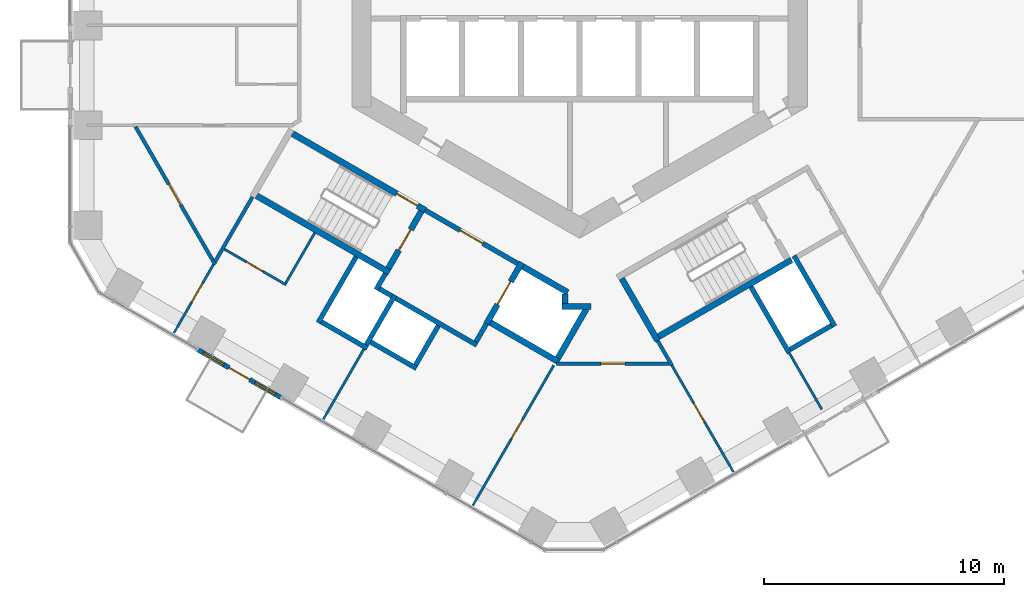
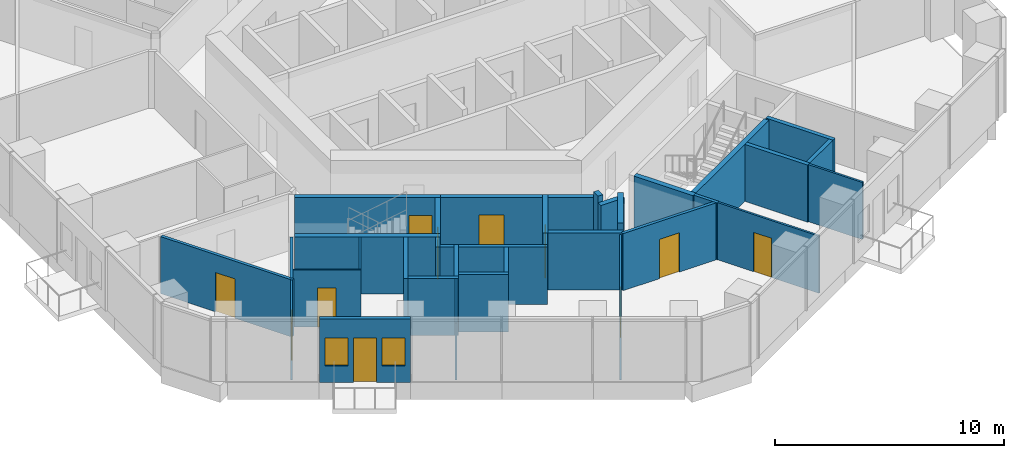
# One storey, part 12 of 19: 36 walls, 11 doors, 2 windows, 13 openings.
"""IFC4 building model written with IfcOpenShell, lengths in metres."""

import ifcopenshell
import ifcopenshell.guid

model = None  # the IFC model being written
_history = None  # IfcOwnerHistory: only IFC2X3 demands one
_inside = {}  # id of a spatial element -> (the spatial element, [elements in it])
_under = {}  # id of a project, library or spatial element -> (it, [spatial elements below it])
_declared = {}  # id of a project -> (the project, [libraries it declares])
_typed = {}  # id of a type object -> (the type object, [elements of that type])
_made_of = {}  # id of a material, layer set ... -> (it, [elements and type objects made of it])


def new_model(schema):
    """Start an empty IFC model of exactly this schema.

    Asked for "IFC4X3", IfcOpenShell would pick the latest addendum, in which some entities
    have other attributes; the version numbers below select the first issue.
    IFC2X3 requires an IfcOwnerHistory on every rooted entity: one is made here for all.
    """
    global model, _history
    if schema == "IFC4X3":
        model = ifcopenshell.file(schema_version=(4, 3, 0, 0))
    else:
        model = ifcopenshell.file(schema=schema)
    _inside.clear()
    _under.clear()
    _declared.clear()
    _typed.clear()
    _made_of.clear()
    _history = None
    if model.schema == "IFC2X3":
        org = make("IfcOrganization", Name="unknown")
        user = make(
            "IfcPersonAndOrganization",
            ThePerson=make("IfcPerson", FamilyName="unknown"),
            TheOrganization=org,
        )
        app = make(
            "IfcApplication",
            ApplicationDeveloper=org,
            Version="unknown",
            ApplicationFullName="unknown",
            ApplicationIdentifier="unknown",
        )
        _history = make(
            "IfcOwnerHistory",
            OwningUser=user,
            OwningApplication=app,
            ChangeAction="ADDED",
            CreationDate=0,
        )
    return model


def make(cls, **values):
    """One entity of the class cls with the attributes given. An attribute that is None is left unset."""
    return model.create_entity(
        cls, **{name: value for name, value in values.items() if value is not None}
    )


def rooted(cls, **values):
    """An entity with a GlobalId (a new one), such as an element, a storey or a relation."""
    return make(cls, GlobalId=ifcopenshell.guid.new(), OwnerHistory=_history, **values)


def si_unit(unit_type, name, prefix=None):
    """IfcSIUnit, for example si_unit("LENGTHUNIT", "METRE", prefix="MILLI")."""
    return make("IfcSIUnit", UnitType=unit_type, Prefix=prefix, Name=name)


def assignment(units):
    """IfcUnitAssignment: the units of a project."""
    return None if units is None else make("IfcUnitAssignment", Units=units)


def point(xyz):
    """IfcCartesianPoint."""
    return None if xyz is None else make("IfcCartesianPoint", Coordinates=xyz)


def direction(xyz):
    """IfcDirection."""
    return None if xyz is None else make("IfcDirection", DirectionRatios=xyz)


def frame(location, z_axis=None, x_axis=None):
    """IfcAxis2Placement3D, a coordinate frame: its origin and axes. An axis left out is left unset."""
    return make(
        "IfcAxis2Placement3D",
        Location=point(location),
        Axis=direction(z_axis),
        RefDirection=direction(x_axis),
    )


def frame_2d(location, x_axis=None):
    """IfcAxis2Placement2D, a coordinate frame in the plane: its origin and x axis."""
    return make(
        "IfcAxis2Placement2D", Location=point(location), RefDirection=direction(x_axis)
    )


def origin():
    """The frame at (0, 0, 0) with its axes left unset."""
    return frame((0.0, 0.0, 0.0))


def place(relative_to, where):
    """IfcLocalPlacement: puts the frame where relative to a parent placement (None: the world)."""
    return make(
        "IfcLocalPlacement", PlacementRelTo=relative_to, RelativePlacement=where
    )


def context(
    kind, dimensions, precision=None, world=None, true_north=None, identifier=None
):
    """IfcGeometricRepresentationContext, for example the 3D "Model" context."""
    return make(
        "IfcGeometricRepresentationContext",
        ContextIdentifier=identifier,
        ContextType=kind,
        CoordinateSpaceDimension=dimensions,
        Precision=precision,
        WorldCoordinateSystem=world,
        TrueNorth=true_north,
    )


def subcontext(parent, identifier, kind, view, scale=None):
    """IfcGeometricRepresentationSubContext, for example "Body" below "Model"."""
    return make(
        "IfcGeometricRepresentationSubContext",
        ContextIdentifier=identifier,
        ContextType=kind,
        ParentContext=parent,
        TargetScale=scale,
        TargetView=view,
    )


def project(units=None, contexts=None):
    """IfcProject with its units and contexts."""
    return rooted(
        "IfcProject",
        Name="project",
        RepresentationContexts=contexts,
        UnitsInContext=assignment(units),
    )


def spatial(cls, under=None, at=None, **own):
    """A site, building, storey or space (cls), placed at a placement, below another one or the project."""
    s = rooted(cls, ObjectPlacement=at, **own)
    if under is not None:
        _under.setdefault(under.id(), (under, []))[1].append(s)
    return s


def profile(cls, at=None, kind="AREA", **sizes):
    """A parametric profile (cls). Its sizes go by their IFC names, for example OverallWidth=200.0."""
    return make(cls, ProfileType=kind, Position=at, **sizes)


def rectangle(**sizes):
    """IfcRectangleProfileDef."""
    return profile("IfcRectangleProfileDef", **sizes)


def extrude(swept, where, along, depth):
    """IfcExtrudedAreaSolid: the profile swept, set in the frame where, extruded along a direction by depth."""
    return make(
        "IfcExtrudedAreaSolid",
        SweptArea=swept,
        Position=where,
        ExtrudedDirection=direction(along),
        Depth=depth,
    )


def shape(context_of_items, identifier, shape_type, items):
    """IfcShapeRepresentation: the items that make up one representation, for example the "Body"."""
    return make(
        "IfcShapeRepresentation",
        ContextOfItems=context_of_items,
        RepresentationIdentifier=identifier,
        RepresentationType=shape_type,
        Items=items,
    )


def material(Name=None, Category=None):
    """IfcMaterial."""
    return make("IfcMaterial", Name=Name, Category=Category)


def layer(
    of_material, thickness, ventilated=None, Name=None, Category=None, Priority=None
):
    """IfcMaterialLayer: one layer of a wall or slab, of a material (None: an air gap)."""
    return make(
        "IfcMaterialLayer",
        Material=of_material,
        LayerThickness=thickness,
        IsVentilated=ventilated,
        Name=Name,
        Category=Category,
        Priority=Priority,
    )


def layer_set(layers, Name=None):
    """IfcMaterialLayerSet."""
    return make("IfcMaterialLayerSet", MaterialLayers=layers, LayerSetName=Name)


def made_of(thing, what):
    """Note that an element or type object is made of a material, layer set ...; save() writes the relation."""
    if what is not None:
        _made_of.setdefault(what.id(), (what, []))[1].append(thing)
    return thing


def type_object(cls, material=None, **own):
    """A type object (cls), such as IfcWallType, which elements share."""
    return made_of(rooted(cls, **own), material)


def element(
    cls,
    number,
    at=None,
    inside=None,
    cuts=None,
    type_object=None,
    material=None,
    context=None,
    identifier="Body",
    shape_type=None,
    held_by="IfcProductDefinitionShape",
    body=None,
    shapes=None,
    **own,
):
    """One element of the class cls, such as IfcWall. Its Tag is "e" and its number.

    at: its placement. inside: the storey or other place that contains it. cuts: it is an
    opening in that element (IfcRelVoidsElement). A single representation is given by context,
    identifier, shape_type and body (its items); several are given by shapes. held_by: the class
    of the entity that holds the representations. save() writes the other relations.
    """
    e = rooted(cls, Tag="e%d" % number, ObjectPlacement=at, **own)
    if body is not None:
        shapes = [shape(context, identifier, shape_type, body)]
    if shapes is not None:
        e.Representation = make(held_by, Representations=shapes)
    if inside is not None:
        _inside.setdefault(inside.id(), (inside, []))[1].append(e)
    if cuts is not None:
        rooted(
            "IfcRelVoidsElement", RelatingBuildingElement=cuts, RelatedOpeningElement=e
        )
    if type_object is not None:
        _typed.setdefault(type_object.id(), (type_object, []))[1].append(e)
    return made_of(e, material)


def fill(opening, filler):
    """IfcRelFillsElement: the door or window that sits in an opening."""
    return rooted(
        "IfcRelFillsElement",
        RelatingOpeningElement=opening,
        RelatedBuildingElement=filler,
    )


def aggregate(whole, parts):
    """IfcRelAggregates: a whole, such as a stair, and the parts it consists of."""
    return rooted("IfcRelAggregates", RelatingObject=whole, RelatedObjects=parts)


def save(model, path):
    """Write the relations noted so far, then the file.

    IfcRelAggregates (storeys below a building ...), IfcRelContainedInSpatialStructure (elements
    in a storey), IfcRelDefinesByType, IfcRelAssociatesMaterial and IfcRelDeclares: one each for
    every whole, place, type object, material and project.
    """
    for whole, parts in _under.values():
        aggregate(whole, parts)
    for where, things in _inside.values():
        rooted(
            "IfcRelContainedInSpatialStructure",
            RelatedElements=things,
            RelatingStructure=where,
        )
    for kind, things in _typed.values():
        rooted("IfcRelDefinesByType", RelatedObjects=things, RelatingType=kind)
    for what, things in _made_of.values():
        rooted("IfcRelAssociatesMaterial", RelatedObjects=things, RelatingMaterial=what)
    for by, libraries in _declared.values():
        rooted("IfcRelDeclares", RelatingContext=by, RelatedDefinitions=libraries)
    model.write(path)


model = new_model("IFC4")

# Units and contexts
model_context = context("Model", 3, precision=1e-05, world=origin(), true_north=direction((0.0, 1.0)))
body_context = subcontext(model_context, "Body", "Model", "MODEL_VIEW")
ifc_project = project(units=[si_unit("LENGTHUNIT", "METRE"), si_unit("AREAUNIT", "SQUARE_METRE"), si_unit("VOLUMEUNIT", "CUBIC_METRE"), si_unit("PLANEANGLEUNIT", "RADIAN"), si_unit("MASSUNIT", "GRAM", prefix="KILO")], contexts=[model_context])

# Site, building, storey
site_placement = place(None, origin())
site = spatial("IfcSite", under=ifc_project, at=site_placement, CompositionType="ELEMENT")
building_placement = place(site_placement, origin())
building = spatial("IfcBuilding", under=site, at=building_placement, Name="Ayvan Gate Tower", CompositionType="ELEMENT")
storey_placement = place(building_placement, frame((0.0, 0.0, 39.10009765625)))
storey = spatial("IfcBuildingStorey", under=building, at=storey_placement, Name="L09", CompositionType="ELEMENT", Elevation=39.10009765625)

# Wall, openings, door, windows
ifc_material_1 = material(Name="Insulated metal panel wall")
ifc_layer_1 = layer(ifc_material_1, 0.199951171875)
ifc_layer_set_1 = layer_set([ifc_layer_1], Name="Insulated metal panel wall")
wall_type_1 = type_object("IfcWallType", Name="Balcony door wall 200", PredefinedType="SOLIDWALL", material=ifc_layer_set_1)
wall_1_placement = place(storey_placement, frame((-15.917724609375, -15.6181640625, 0.0), z_axis=(0.0, 0.0, 1.0), x_axis=(0.86602842894, -0.499994760241, 0.0)))
wall_1 = element("IfcWall", 1, at=wall_1_placement, inside=storey, type_object=wall_type_1, Name="EW:L09:4:1", PredefinedType="SOLIDWALL", context=body_context, shape_type="SweptSolid", body=[
    extrude(rectangle(XDim=3.98388671875, YDim=0.199951171875, at=frame_2d((1.991943359375, 0.0))), origin(), (0.0, 0.0, 1.0), 3.39990234375),
])
opening_1_placement = place(wall_1_placement, frame((1.491943359375, 0.0, 0.0)))
opening_1 = element("IfcOpeningElement", 2, at=opening_1_placement, cuts=wall_1, Name="Opening L09-D94", PredefinedType="OPENING", context=body_context, shape_type="SweptSolid", body=[
    extrude(rectangle(XDim=1.0, YDim=2.39990234375, at=frame_2d((0.5, 1.199951171875))), frame((0.0, 0.10986328125, 0.0), z_axis=(0.0, -1.0, 0.0), x_axis=(1.0, 0.0, 0.0)), (0.0, 0.0, 1.0), 0.219970703125),
])
opening_2_placement = place(wall_1_placement, frame((0.24609375, 0.0, 0.89990234375)))
opening_2 = element("IfcOpeningElement", 3, at=opening_2_placement, cuts=wall_1, Name="Opening W-B1", PredefinedType="OPENING", context=body_context, shape_type="SweptSolid", body=[
    extrude(rectangle(XDim=1.0, YDim=1.5, at=frame_2d((0.5, 0.75))), frame((0.0, 0.10986328125, 0.0), z_axis=(0.0, -1.0, 0.0), x_axis=(1.0, 0.0, 0.0)), (0.0, 0.0, 1.0), 0.219970703125),
])
opening_3_placement = place(wall_1_placement, frame((2.738037109375, 0.0, 0.89990234375)))
opening_3 = element("IfcOpeningElement", 4, at=opening_3_placement, cuts=wall_1, Name="Opening W-B1", PredefinedType="OPENING", context=body_context, shape_type="SweptSolid", body=[
    extrude(rectangle(XDim=1.0, YDim=1.5, at=frame_2d((0.5, 0.75))), frame((0.0, 0.10986328125, 0.0), z_axis=(0.0, -1.0, 0.0), x_axis=(1.0, 0.0, 0.0)), (0.0, 0.0, 1.0), 0.219970703125),
])
ifc_material_2 = material(Name="Bronze anodised aluminium and clear glass", Category="aluminium")
door_type_1 = type_object("IfcDoorType", Name="Balcony door D-B", OperationType="SINGLE_SWING_RIGHT", PredefinedType="DOOR", material=ifc_material_2)
door_1_placement = place(opening_1_placement, origin())
door_1 = element("IfcDoor", 5, at=door_1_placement, inside=storey, type_object=door_type_1, Name="Balcony door BAL-L09-4", OperationType="SINGLE_SWING_RIGHT", OverallHeight=2.39990234375, OverallWidth=1.0, PredefinedType="DOOR", context=body_context, shape_type="SweptSolid", body=[
    extrude(rectangle(XDim=1.0, YDim=2.39990234375, at=frame_2d((0.5, 1.199951171875))), frame((0.0, 0.02490234375, 0.0), z_axis=(0.0, -1.0, 0.0), x_axis=(1.0, 0.0, 0.0)), (0.0, 0.0, 1.0), 0.050048828125),
])
fill(opening_1, door_1)
window_type = type_object("IfcWindowType", Name="Balcony side light W-B Z1", PartitioningType="SINGLE_PANEL", PredefinedType="WINDOW", material=ifc_material_2)
window_1_placement = place(opening_2_placement, origin())
window_1 = element("IfcWindow", 6, at=window_1_placement, inside=storey, type_object=window_type, Name="Balcony side light BAL-L09-4.1", OverallHeight=1.5, OverallWidth=1.0, PartitioningType="SINGLE_PANEL", PredefinedType="WINDOW", context=body_context, shape_type="SweptSolid", body=[
    extrude(rectangle(XDim=1.0, YDim=1.5, at=frame_2d((0.5, 0.75))), frame((0.0, 0.030029296875, 0.0), z_axis=(0.0, -1.0, 0.0), x_axis=(1.0, 0.0, 0.0)), (0.0, 0.0, 1.0), 0.06005859375),
])
fill(opening_2, window_1)
window_2_placement = place(opening_3_placement, origin())
window_2 = element("IfcWindow", 7, at=window_2_placement, inside=storey, type_object=window_type, Name="Balcony side light BAL-L09-4.2", OverallHeight=1.5, OverallWidth=1.0, PartitioningType="SINGLE_PANEL", PredefinedType="WINDOW", context=body_context, shape_type="SweptSolid", body=[
    extrude(rectangle(XDim=1.0, YDim=1.5, at=frame_2d((0.5, 0.75))), frame((0.0, 0.030029296875, 0.0), z_axis=(0.0, -1.0, 0.0), x_axis=(1.0, 0.0, 0.0)), (0.0, 0.0, 1.0), 0.06005859375),
])
fill(opening_3, window_2)

# Wall, opening, door
ifc_material_3 = material(Name="Plasterboard on steel stud", Category="steel")
ifc_layer_2 = layer(ifc_material_3, 0.14990234375)
ifc_layer_set_2 = layer_set([ifc_layer_2], Name="Plasterboard on steel stud")
wall_type_2 = type_object("IfcWallType", Name="WT-CORR-150", PredefinedType="PARTITIONING", material=ifc_layer_set_2)
wall_2_placement = place(storey_placement, frame((-15.203857421875, -12.063720703125, 0.0), z_axis=(0.0, 0.0, 1.0), x_axis=(-0.500026652407, 0.866010015463, 0.0)))
wall_2 = element("IfcWall", 8, at=wall_2_placement, inside=storey, type_object=wall_type_2, Name="IW-L09-005", PredefinedType="PARTITIONING", context=body_context, shape_type="SweptSolid", body=[
    extrude(rectangle(XDim=6.646240234375, YDim=0.14990234375, at=frame_2d((3.3232421875, 0.0))), origin(), (0.0, 0.0, 1.0), 3.0498046875),
])
opening_4_placement = place(wall_2_placement, frame((2.8779296875, 0.0, 0.0)))
opening_4 = element("IfcOpeningElement", 9, at=opening_4_placement, cuts=wall_2, Name="Opening L09-D25", PredefinedType="OPENING", context=body_context, shape_type="SweptSolid", body=[
    extrude(rectangle(XDim=1.0, YDim=2.10009765625, at=frame_2d((0.5, 1.050048828125))), frame((0.0, 0.0849609375, 0.0), z_axis=(0.0, -1.0, 0.0), x_axis=(1.0, 0.0, 0.0)), (0.0, 0.0, 1.0), 0.169921875),
])
ifc_material_4 = material(Name="Timber door leaf", Category="wood")
door_type_2 = type_object("IfcDoorType", Name="DT-1000", OperationType="NOTDEFINED", PredefinedType="DOOR", material=ifc_material_4)
door_2_placement = place(opening_4_placement, origin())
door_2 = element("IfcDoor", 10, at=door_2_placement, inside=storey, type_object=door_type_2, Name="ID-L09-025", OperationType="SINGLE_SWING_RIGHT", OverallHeight=2.10009765625, OverallWidth=1.0, PredefinedType="DOOR", context=body_context, shape_type="SweptSolid", body=[
    extrude(rectangle(XDim=1.0, YDim=2.10009765625, at=frame_2d((0.5, 1.050048828125))), frame((0.0, 0.02490234375, 0.0), z_axis=(0.0, -1.0, 0.0), x_axis=(1.0, 0.0, 0.0)), (0.0, 0.0, 1.0), 0.050048828125),
])
fill(opening_4, door_2)

# Walls
wall_3_placement = place(storey_placement, frame((-15.203857421875, -11.933837890625, 0.0), z_axis=(0.0, 0.0, 1.0), x_axis=(0.500037089193, 0.86600398927, 0.0)))
element("IfcWall", 11, at=wall_3_placement, inside=storey, type_object=wall_type_2, Name="IW-L09-008", PredefinedType="PARTITIONING", context=body_context, shape_type="SweptSolid", body=[
    extrude(rectangle(XDim=3.112060546875, YDim=0.14990234375, at=frame_2d((1.55615234375, 0.0))), origin(), (0.0, 0.0, 1.0), 3.0498046875),
])
wall_4_placement = place(storey_placement, frame((3.255615234375, -15.23876953125, 0.0), z_axis=(0.0, 0.0, 1.0), x_axis=(0.499954554753, -0.86605164002, 0.0)))
element("IfcWall", 12, at=wall_4_placement, inside=storey, type_object=wall_type_2, Name="IW-L09-076", PredefinedType="PARTITIONING", context=body_context, shape_type="SweptSolid", body=[
    extrude(rectangle(XDim=1.18359375, YDim=0.14990234375, at=frame_2d((0.591796875, 0.0))), origin(), (0.0, 0.0, 1.0), 3.0498046875),
])

# Wall, opening, door
wall_5_placement = place(storey_placement, frame((3.73486328125, -16.19873046875, 0.0), z_axis=(0.0, 0.0, 1.0), x_axis=(-1.0, 0.0, 0.0)))
wall_5 = element("IfcWall", 13, at=wall_5_placement, inside=storey, type_object=wall_type_2, Name="IW-L09-080", PredefinedType="PARTITIONING", context=body_context, shape_type="SweptSolid", body=[
    extrude(rectangle(XDim=4.698486328125, YDim=0.14990234375, at=frame_2d((2.34912109375, 0.0))), origin(), (0.0, 0.0, 1.0), 3.0498046875),
])
opening_5_placement = place(wall_5_placement, frame((1.84912109375, 0.0, 0.0)))
opening_5 = element("IfcOpeningElement", 14, at=opening_5_placement, cuts=wall_5, Name="Opening L09-D28", PredefinedType="OPENING", context=body_context, shape_type="SweptSolid", body=[
    extrude(rectangle(XDim=1.0, YDim=2.10009765625, at=frame_2d((0.5, 1.050048828125))), frame((0.0, 0.0849609375, 0.0), z_axis=(0.0, -1.0, 0.0), x_axis=(1.0, 0.0, 0.0)), (0.0, 0.0, 1.0), 0.169921875),
])
door_3_placement = place(opening_5_placement, origin())
door_3 = element("IfcDoor", 15, at=door_3_placement, inside=storey, type_object=door_type_2, Name="ID-L09-028", OperationType="SINGLE_SWING_LEFT", OverallHeight=2.10009765625, OverallWidth=1.0, PredefinedType="DOOR", context=body_context, shape_type="SweptSolid", body=[
    extrude(rectangle(XDim=1.0, YDim=2.10009765625, at=frame_2d((0.5, 1.050048828125))), frame((0.0, 0.02490234375, 0.0), z_axis=(0.0, -1.0, 0.0), x_axis=(1.0, 0.0, 0.0)), (0.0, 0.0, 1.0), 0.050048828125),
])
fill(opening_5, door_3)

ifc_layer_3 = layer(ifc_material_3, 0.10009765625)
ifc_layer_set_3 = layer_set([ifc_layer_3], Name="Plasterboard on steel stud")
wall_type_3 = type_object("IfcWallType", Name="WT-PART-100", PredefinedType="PARTITIONING", material=ifc_layer_set_3)
wall_6_placement = place(storey_placement, frame((-15.27880859375, -12.063720703125, 0.0), z_axis=(0.0, 0.0, 1.0), x_axis=(-0.500013311227, -0.866017718408, 0.0)))
wall_6 = element("IfcWall", 16, at=wall_6_placement, inside=storey, type_object=wall_type_3, Name="IW-L09-006", PredefinedType="PARTITIONING", context=body_context, shape_type="SweptSolid", body=[
    extrude(rectangle(XDim=3.2939453125, YDim=0.10009765625, at=frame_2d((1.64697265625, 0.0))), origin(), (0.0, 0.0, 1.0), 3.0498046875),
])
opening_6_placement = place(wall_6_placement, frame((0.898681640625, 0.0, 0.0)))
opening_6 = element("IfcOpeningElement", 17, at=opening_6_placement, cuts=wall_6, Name="Opening L09-D26", PredefinedType="OPENING", context=body_context, shape_type="SweptSolid", body=[
    extrude(rectangle(XDim=0.89990234375, YDim=2.10009765625, at=frame_2d((0.449951171875, 1.050048828125))), frame((0.0, 0.06005859375, 0.0), z_axis=(0.0, -1.0, 0.0), x_axis=(1.0, 0.0, 0.0)), (0.0, 0.0, 1.0), 0.1201171875),
])
door_type_3 = type_object("IfcDoorType", Name="DT-900", OperationType="NOTDEFINED", PredefinedType="DOOR", material=ifc_material_4)
door_4_placement = place(opening_6_placement, origin())
door_4 = element("IfcDoor", 18, at=door_4_placement, inside=storey, type_object=door_type_3, Name="ID-L09-026", OperationType="SINGLE_SWING_LEFT", OverallHeight=2.10009765625, OverallWidth=0.89990234375, PredefinedType="DOOR", context=body_context, shape_type="SweptSolid", body=[
    extrude(rectangle(XDim=0.89990234375, YDim=2.10009765625, at=frame_2d((0.449951171875, 1.050048828125))), frame((0.0, 0.02490234375, 0.0), z_axis=(0.0, -1.0, 0.0), x_axis=(1.0, 0.0, 0.0)), (0.0, 0.0, 1.0), 0.050048828125),
])
fill(opening_6, door_4)

wall_7_placement = place(storey_placement, frame((-14.8203125, -11.419677734375, 0.0), z_axis=(0.0, 0.0, 1.0), x_axis=(0.866017493347, -0.500013701029, 0.0)))
wall_7 = element("IfcWall", 19, at=wall_7_placement, inside=storey, type_object=wall_type_3, Name="IW-L09-007", PredefinedType="PARTITIONING", context=body_context, shape_type="SweptSolid", body=[
    extrude(rectangle(XDim=2.97509765625, YDim=0.10009765625, at=frame_2d((1.487548828125, 0.0))), origin(), (0.0, 0.0, 1.0), 3.0498046875),
])
opening_7_placement = place(wall_7_placement, frame((1.0625, 0.0, 0.0)))
opening_7 = element("IfcOpeningElement", 20, at=opening_7_placement, cuts=wall_7, Name="Opening L09-D27", PredefinedType="OPENING", context=body_context, shape_type="SweptSolid", body=[
    extrude(rectangle(XDim=0.800048828125, YDim=2.10009765625, at=frame_2d((0.39990234375, 1.050048828125))), frame((0.0, 0.06005859375, 0.0), z_axis=(0.0, -1.0, 0.0), x_axis=(1.0, 0.0, 0.0)), (0.0, 0.0, 1.0), 0.1201171875),
])
door_type_4 = type_object("IfcDoorType", Name="DT-800", OperationType="NOTDEFINED", PredefinedType="DOOR", material=ifc_material_4)
door_5_placement = place(opening_7_placement, origin())
door_5 = element("IfcDoor", 21, at=door_5_placement, inside=storey, type_object=door_type_4, Name="ID-L09-027", OperationType="SINGLE_SWING_RIGHT", OverallHeight=2.10009765625, OverallWidth=0.800048828125, PredefinedType="DOOR", context=body_context, shape_type="SweptSolid", body=[
    extrude(rectangle(XDim=0.800048828125, YDim=2.10009765625, at=frame_2d((0.39990234375, 1.050048828125))), frame((0.0, 0.02490234375, 0.0), z_axis=(0.0, -1.0, 0.0), x_axis=(1.0, 0.0, 0.0)), (0.0, 0.0, 1.0), 0.050048828125),
])
fill(opening_7, door_5)

# Walls
wall_8_placement = place(storey_placement, frame((-12.26220703125, -12.8388671875, 0.0), z_axis=(0.0, 0.0, 1.0), x_axis=(0.499972286653, 0.866041403502, 0.0)))
element("IfcWall", 22, at=wall_8_placement, inside=storey, type_object=wall_type_3, Name="IW-L09-014", PredefinedType="PARTITIONING", context=body_context, shape_type="SweptSolid", body=[
    extrude(rectangle(XDim=2.425048828125, YDim=0.10009765625, at=frame_2d((1.21240234375, 0.0))), origin(), (0.0, 0.0, 1.0), 3.0498046875),
])
wall_9_placement = place(storey_placement, frame((-9.0, -15.58837890625, 0.0), z_axis=(0.0, 0.0, 1.0), x_axis=(-0.499968344795, -0.866043679154, 0.0)))
element("IfcWall", 23, at=wall_9_placement, inside=storey, type_object=wall_type_3, Name="IW-L09-026", PredefinedType="PARTITIONING", context=body_context, shape_type="SweptSolid", body=[
    extrude(rectangle(XDim=3.380615234375, YDim=0.10009765625, at=frame_2d((1.6904296875, 0.0))), origin(), (0.0, 0.0, 1.0), 3.0498046875),
])

# Wall, opening, door
wall_10_placement = place(storey_placement, frame((-4.454833984375, -22.1162109375, 0.0), z_axis=(0.0, 0.0, 1.0), x_axis=(0.499982026803, 0.866035780366, 0.0)))
wall_10 = element("IfcWall", 24, at=wall_10_placement, inside=storey, type_object=wall_type_3, Name="IW-L09-047", PredefinedType="PARTITIONING", context=body_context, shape_type="SweptSolid", body=[
    extrude(rectangle(XDim=6.757568359375, YDim=0.10009765625, at=frame_2d((3.37890625, 0.0))), origin(), (0.0, 0.0, 1.0), 3.0498046875),
])
opening_8_placement = place(wall_10_placement, frame((3.226806640625, 0.0, 0.0)))
opening_8 = element("IfcOpeningElement", 25, at=opening_8_placement, cuts=wall_10, Name="Opening L09-D29", PredefinedType="OPENING", context=body_context, shape_type="SweptSolid", body=[
    extrude(rectangle(XDim=0.89990234375, YDim=2.10009765625, at=frame_2d((0.449951171875, 1.050048828125))), frame((0.0, 0.06005859375, 0.0), z_axis=(0.0, -1.0, 0.0), x_axis=(1.0, 0.0, 0.0)), (0.0, 0.0, 1.0), 0.1201171875),
])
door_6_placement = place(opening_8_placement, origin())
door_6 = element("IfcDoor", 26, at=door_6_placement, inside=storey, type_object=door_type_3, Name="ID-L09-029", OperationType="SINGLE_SWING_RIGHT", OverallHeight=2.10009765625, OverallWidth=0.89990234375, PredefinedType="DOOR", context=body_context, shape_type="SweptSolid", body=[
    extrude(rectangle(XDim=0.89990234375, YDim=2.10009765625, at=frame_2d((0.449951171875, 1.050048828125))), frame((0.0, 0.02490234375, 0.0), z_axis=(0.0, -1.0, 0.0), x_axis=(1.0, 0.0, 0.0)), (0.0, 0.0, 1.0), 0.050048828125),
])
fill(opening_8, door_6)

wall_11_placement = place(storey_placement, frame((3.847412109375, -16.263916015625, 0.0), z_axis=(0.0, 0.0, 1.0), x_axis=(0.50000507078, -0.866022476149, 0.0)))
wall_11 = element("IfcWall", 27, at=wall_11_placement, inside=storey, type_object=wall_type_3, Name="IW-L09-081", PredefinedType="PARTITIONING", context=body_context, shape_type="SweptSolid", body=[
    extrude(rectangle(XDim=5.134765625, YDim=0.10009765625, at=frame_2d((2.5673828125, 0.0))), origin(), (0.0, 0.0, 1.0), 3.0498046875),
])
opening_9_placement = place(wall_11_placement, frame((1.8193359375, 0.0, 0.0)))
opening_9 = element("IfcOpeningElement", 28, at=opening_9_placement, cuts=wall_11, Name="Opening L09-D30", PredefinedType="OPENING", context=body_context, shape_type="SweptSolid", body=[
    extrude(rectangle(XDim=0.89990234375, YDim=2.10009765625, at=frame_2d((0.449951171875, 1.050048828125))), frame((0.0, 0.06005859375, 0.0), z_axis=(0.0, -1.0, 0.0), x_axis=(1.0, 0.0, 0.0)), (0.0, 0.0, 1.0), 0.1201171875),
])
door_7_placement = place(opening_9_placement, origin())
door_7 = element("IfcDoor", 29, at=door_7_placement, inside=storey, type_object=door_type_3, Name="ID-L09-030", OperationType="SINGLE_SWING_LEFT", OverallHeight=2.10009765625, OverallWidth=0.89990234375, PredefinedType="DOOR", context=body_context, shape_type="SweptSolid", body=[
    extrude(rectangle(XDim=0.89990234375, YDim=2.10009765625, at=frame_2d((0.449951171875, 1.050048828125))), frame((0.0, 0.02490234375, 0.0), z_axis=(0.0, -1.0, 0.0), x_axis=(1.0, 0.0, 0.0)), (0.0, 0.0, 1.0), 0.050048828125),
])
fill(opening_9, door_7)

# Walls
wall_12_placement = place(storey_placement, frame((8.739990234375, -15.73828125, 0.0), z_axis=(0.0, 0.0, 1.0), x_axis=(0.500009139881, -0.866020126807, 0.0)))
element("IfcWall", 30, at=wall_12_placement, inside=storey, type_object=wall_type_3, Name="IW-L09-097", PredefinedType="PARTITIONING", context=body_context, shape_type="SweptSolid", body=[
    extrude(rectangle(XDim=2.7275390625, YDim=0.10009765625, at=frame_2d((1.36376953125, 0.0))), origin(), (0.0, 0.0, 1.0), 3.0498046875),
])
ifc_layer_4 = layer(ifc_material_3, 0.199951171875)
ifc_layer_set_4 = layer_set([ifc_layer_4], Name="Plasterboard on steel stud")
wall_type_4 = type_object("IfcWallType", Name="WT-PLUMB-200", PredefinedType="PLUMBINGWALL", material=ifc_layer_set_4)
wall_13_placement = place(storey_placement, frame((-10.9052734375, -14.488525390625, 0.0), z_axis=(0.0, 0.0, 1.0), x_axis=(0.499959856469, 0.866048579423, 0.0)))
element("IfcWall", 31, at=wall_13_placement, inside=storey, type_object=wall_type_4, Name="IW-L09-023", PredefinedType="PLUMBINGWALL", context=body_context, shape_type="SweptSolid", body=[
    extrude(rectangle(XDim=3.175048828125, YDim=0.199951171875, at=frame_2d((1.58740234375, 0.0))), origin(), (0.0, 0.0, 1.0), 3.0498046875),
])
wall_14_placement = place(storey_placement, frame((-8.86328125, -15.552001953125, 0.0), z_axis=(0.0, 0.0, 1.0), x_axis=(-0.866035918664, 0.499981787252, 0.0)))
element("IfcWall", 32, at=wall_14_placement, inside=storey, type_object=wall_type_4, Name="IW-L09-025", PredefinedType="PLUMBINGWALL", context=body_context, shape_type="SweptSolid", body=[
    extrude(rectangle(XDim=2.2001953125, YDim=0.199951171875, at=frame_2d((1.10009765625, 0.0))), origin(), (0.0, 0.0, 1.0), 3.0498046875),
])
wall_15_placement = place(storey_placement, frame((-8.492919921875, -13.110107421875, 0.0), z_axis=(0.0, 0.0, 1.0), x_axis=(0.500067724834, 0.865986299303, 0.0)))
element("IfcWall", 33, at=wall_15_placement, inside=storey, type_object=wall_type_4, Name="IW-L09-030", PredefinedType="PLUMBINGWALL", context=body_context, shape_type="SweptSolid", body=[
    extrude(rectangle(XDim=0.775390625, YDim=0.199951171875, at=frame_2d((0.3876953125, 0.0))), origin(), (0.0, 0.0, 1.0), 3.0498046875),
])
wall_16_placement = place(storey_placement, frame((-7.699951171875, -13.3369140625, 0.0), z_axis=(0.0, 0.0, 1.0), x_axis=(-0.500001309137, -0.866024647952, 0.0)))
element("IfcWall", 34, at=wall_16_placement, inside=storey, type_object=wall_type_4, Name="IW-L09-031", PredefinedType="PLUMBINGWALL", context=body_context, shape_type="SweptSolid", body=[
    extrude(rectangle(XDim=2.39990234375, YDim=0.199951171875, at=frame_2d((1.199951171875, 0.0))), origin(), (0.0, 0.0, 1.0), 3.0498046875),
])
wall_17_placement = place(storey_placement, frame((-7.83642578125, -13.373291015625, 0.0), z_axis=(0.0, 0.0, 1.0), x_axis=(-0.866232998003, 0.499640263761, 0.0)))
element("IfcWall", 35, at=wall_17_placement, inside=storey, type_object=wall_type_4, Name="IW-L09-032", PredefinedType="PLUMBINGWALL", context=body_context, shape_type="SweptSolid", body=[
    extrude(rectangle(XDim=0.60009765625, YDim=0.199951171875, at=frame_2d((0.300048828125, 0.0))), origin(), (0.0, 0.0, 1.0), 3.0498046875),
])
wall_18_placement = place(storey_placement, frame((-6.80810546875, -16.39208984375, 0.0), z_axis=(0.0, 0.0, 1.0), x_axis=(-0.866008176907, 0.50002983664, 0.0)))
element("IfcWall", 36, at=wall_18_placement, inside=storey, type_object=wall_type_4, Name="IW-L09-038", PredefinedType="PLUMBINGWALL", context=body_context, shape_type="SweptSolid", body=[
    extrude(rectangle(XDim=2.199951171875, YDim=0.199951171875, at=frame_2d((1.10009765625, 0.0))), origin(), (0.0, 0.0, 1.0), 3.0498046875),
])
wall_19_placement = place(storey_placement, frame((-5.894775390625, -14.610107421875, 0.0), z_axis=(0.0, 0.0, 1.0), x_axis=(-0.500022797313, -0.86601224135, 0.0)))
element("IfcWall", 37, at=wall_19_placement, inside=storey, type_object=wall_type_4, Name="IW-L09-041", PredefinedType="PLUMBINGWALL", context=body_context, shape_type="SweptSolid", body=[
    extrude(rectangle(XDim=1.89990234375, YDim=0.199951171875, at=frame_2d((0.949951171875, 0.0))), origin(), (0.0, 0.0, 1.0), 3.0498046875),
])
wall_20_placement = place(storey_placement, frame((8.740234375, -15.738525390625, 0.0), z_axis=(0.0, 0.0, 1.0), x_axis=(-0.500017526161, 0.866015284814, 0.0)))
element("IfcWall", 38, at=wall_20_placement, inside=storey, type_object=wall_type_4, Name="IW-L09-098", PredefinedType="PLUMBINGWALL", context=body_context, shape_type="SweptSolid", body=[
    extrude(rectangle(XDim=3.17529296875, YDim=0.199951171875, at=frame_2d((1.587646484375, 0.0))), origin(), (0.0, 0.0, 1.0), 3.0498046875),
])
wall_21_placement = place(storey_placement, frame((8.9453125, -11.694091796875, 0.0), z_axis=(0.0, 0.0, 1.0), x_axis=(0.500062241894, -0.865989465428, 0.0)))
element("IfcWall", 39, at=wall_21_placement, inside=storey, type_object=wall_type_4, Name="IW-L09-100", PredefinedType="PLUMBINGWALL", context=body_context, shape_type="SweptSolid", body=[
    extrude(rectangle(XDim=3.39990234375, YDim=0.199951171875, at=frame_2d((1.699951171875, 0.0))), origin(), (0.0, 0.0, 1.0), 3.0498046875),
])
wall_22_placement = place(storey_placement, frame((10.5087890625, -14.601806640625, 0.0), z_axis=(0.0, 0.0, 1.0), x_axis=(-0.866010750942, -0.50002537861, 0.0)))
element("IfcWall", 40, at=wall_22_placement, inside=storey, type_object=wall_type_4, Name="IW-L09-103", PredefinedType="PLUMBINGWALL", context=body_context, shape_type="SweptSolid", body=[
    extrude(rectangle(XDim=2.0, YDim=0.199951171875, at=frame_2d((1.0, 0.0))), origin(), (0.0, 0.0, 1.0), 3.0498046875),
])

# Wall, opening, door
ifc_layer_5 = layer(ifc_material_3, 0.199951171875)
ifc_layer_set_5 = layer_set([ifc_layer_5], Name="Plasterboard on steel stud")
wall_type_5 = type_object("IfcWallType", Name="WT-RATED-200", PredefinedType="PARTITIONING", material=ifc_layer_set_5)
wall_23_placement = place(storey_placement, frame((-6.4345703125, -9.794921875, 0.0), z_axis=(0.0, 0.0, 1.0), x_axis=(0.866012907634, -0.500021643343, 0.0)))
wall_23 = element("IfcWall", 41, at=wall_23_placement, inside=storey, type_object=wall_type_5, Name="IW-L09-040", PredefinedType="PARTITIONING", context=body_context, shape_type="SweptSolid", body=[
    extrude(rectangle(XDim=4.449951171875, YDim=0.199951171875, at=frame_2d((2.22509765625, 0.0))), origin(), (0.0, 0.0, 1.0), 3.0498046875),
])
opening_10_placement = place(wall_23_placement, frame((1.675048828125, 0.0, 0.0)))
opening_10 = element("IfcOpeningElement", 42, at=opening_10_placement, cuts=wall_23, Name="Opening L09-D12", PredefinedType="OPENING", context=body_context, shape_type="SweptSolid", body=[
    extrude(rectangle(XDim=1.10009765625, YDim=2.10009765625, at=frame_2d((0.550048828125, 1.050048828125))), frame((0.0, 0.10986328125, 0.0), z_axis=(0.0, -1.0, 0.0), x_axis=(1.0, 0.0, 0.0)), (0.0, 0.0, 1.0), 0.219970703125),
])
door_type_5 = type_object("IfcDoorType", Name="DT-1100", OperationType="NOTDEFINED", PredefinedType="DOOR", material=ifc_material_4)
door_8_placement = place(opening_10_placement, origin())
door_8 = element("IfcDoor", 43, at=door_8_placement, inside=storey, type_object=door_type_5, Name="ID-L09-012", OperationType="SINGLE_SWING_LEFT", OverallHeight=2.10009765625, OverallWidth=1.10009765625, PredefinedType="DOOR", context=body_context, shape_type="SweptSolid", body=[
    extrude(rectangle(XDim=1.10009765625, YDim=2.10009765625, at=frame_2d((0.550048828125, 1.050048828125))), frame((0.0, 0.02490234375, 0.0), z_axis=(0.0, -1.0, 0.0), x_axis=(1.0, 0.0, 0.0)), (0.0, 0.0, 1.0), 0.050048828125),
])
fill(opening_10, door_8)

# Walls
wall_24_placement = place(storey_placement, frame((-4.285888671875, -15.42333984375, 0.0), z_axis=(0.0, 0.0, 1.0), x_axis=(-0.866042777325, 0.499969906938, 0.0)))
element("IfcWall", 44, at=wall_24_placement, inside=storey, type_object=wall_type_5, Name="IW-L09-046", PredefinedType="PARTITIONING", context=body_context, shape_type="SweptSolid", body=[
    extrude(rectangle(XDim=3.900146484375, YDim=0.199951171875, at=frame_2d((1.9501953125, 0.0))), origin(), (0.0, 0.0, 1.0), 3.0498046875),
])
wall_25_placement = place(storey_placement, frame((-3.885009765625, -14.52880859375, 0.0), z_axis=(0.0, 0.0, 1.0), x_axis=(-0.499859285417, -0.866106630146, 0.0)))
element("IfcWall", 45, at=wall_25_placement, inside=storey, type_object=wall_type_5, Name="IW-L09-048", PredefinedType="PARTITIONING", context=body_context, shape_type="SweptSolid", body=[
    extrude(rectangle(XDim=0.875244140625, YDim=0.199951171875, at=frame_2d((0.4375, 0.0))), origin(), (0.0, 0.0, 1.0), 3.0498046875),
])

# Wall, opening, door
ifc_material_5 = material(Name="Concrete C50/60", Category="concrete")
ifc_layer_6 = layer(ifc_material_5, 0.25)
ifc_layer_set_6 = layer_set([ifc_layer_6], Name="Concrete C50/60")
wall_type_6 = type_object("IfcWallType", Name="WT-RC-250", PredefinedType="SHEAR", material=ifc_layer_set_6)
wall_26_placement = place(storey_placement, frame((-11.97705078125, -6.594970703125, 0.0), z_axis=(0.0, 0.0, 1.0), x_axis=(0.866025499775, -0.499999833739, 0.0)))
wall_26 = element("IfcWall", 46, at=wall_26_placement, inside=storey, type_object=wall_type_6, Name="IW-L09-015", PredefinedType="SHEAR", context=body_context, shape_type="SweptSolid", body=[
    extrude(rectangle(XDim=6.39990234375, YDim=0.25, at=frame_2d((3.199951171875, 0.0))), origin(), (0.0, 0.0, 1.0), 3.0498046875),
])
opening_11_placement = place(wall_26_placement, frame((5.02490234375, 0.0, 0.0)))
opening_11 = element("IfcOpeningElement", 47, at=opening_11_placement, cuts=wall_26, Name="Opening L09-D10", PredefinedType="OPENING", context=body_context, shape_type="SweptSolid", body=[
    extrude(rectangle(XDim=1.0, YDim=2.10009765625, at=frame_2d((0.5, 1.050048828125))), frame((0.0, 0.135009765625, 0.0), z_axis=(0.0, -1.0, 0.0), x_axis=(1.0, 0.0, 0.0)), (0.0, 0.0, 1.0), 0.27001953125),
])
door_9_placement = place(opening_11_placement, origin())
door_9 = element("IfcDoor", 48, at=door_9_placement, inside=storey, type_object=door_type_2, Name="ID-L09-010", OperationType="SINGLE_SWING_LEFT", OverallHeight=2.10009765625, OverallWidth=1.0, PredefinedType="DOOR", context=body_context, shape_type="SweptSolid", body=[
    extrude(rectangle(XDim=1.0, YDim=2.10009765625, at=frame_2d((0.5, 1.050048828125))), frame((0.0, 0.02490234375, 0.0), z_axis=(0.0, -1.0, 0.0), x_axis=(1.0, 0.0, 0.0)), (0.0, 0.0, 1.0), 0.050048828125),
])
fill(opening_11, door_9)

# Wall
wall_27_placement = place(storey_placement, frame((-13.47705078125, -9.193115234375, 0.0), z_axis=(0.0, 0.0, 1.0), x_axis=(0.866025499775, -0.499999833739, 0.0)))
element("IfcWall", 49, at=wall_27_placement, inside=storey, type_object=wall_type_6, Name="IW-L09-021", PredefinedType="SHEAR", context=body_context, shape_type="SweptSolid", body=[
    extrude(rectangle(XDim=6.39990234375, YDim=0.25, at=frame_2d((3.199951171875, 0.0))), origin(), (0.0, 0.0, 1.0), 3.0498046875),
])

# Wall, opening, door
wall_28_placement = place(storey_placement, frame((-6.605224609375, -9.8408203125, 0.0), z_axis=(0.0, 0.0, 1.0), x_axis=(-0.499996545922, -0.866027397988, 0.0)))
wall_28 = element("IfcWall", 50, at=wall_28_placement, inside=storey, type_object=wall_type_6, Name="IW-L09-039", PredefinedType="SHEAR", context=body_context, shape_type="SweptSolid", body=[
    extrude(rectangle(XDim=2.75, YDim=0.25, at=frame_2d((1.375, 0.0))), origin(), (0.0, 0.0, 1.0), 3.0498046875),
])
opening_12_placement = place(wall_28_placement, frame((0.875, 0.0, 0.0)))
opening_12 = element("IfcOpeningElement", 51, at=opening_12_placement, cuts=wall_28, Name="Opening L09-D11", PredefinedType="OPENING", context=body_context, shape_type="SweptSolid", body=[
    extrude(rectangle(XDim=1.0, YDim=2.10009765625, at=frame_2d((0.5, 1.050048828125))), frame((0.0, 0.135009765625, 0.0), z_axis=(0.0, -1.0, 0.0), x_axis=(1.0, 0.0, 0.0)), (0.0, 0.0, 1.0), 0.27001953125),
])
door_10_placement = place(opening_12_placement, origin())
door_10 = element("IfcDoor", 52, at=door_10_placement, inside=storey, type_object=door_type_2, Name="ID-L09-011", OperationType="SINGLE_SWING_RIGHT", OverallHeight=2.10009765625, OverallWidth=1.0, PredefinedType="DOOR", context=body_context, shape_type="SweptSolid", body=[
    extrude(rectangle(XDim=1.0, YDim=2.10009765625, at=frame_2d((0.5, 1.050048828125))), frame((0.0, 0.02490234375, 0.0), z_axis=(0.0, -1.0, 0.0), x_axis=(1.0, 0.0, 0.0)), (0.0, 0.0, 1.0), 0.050048828125),
])
fill(opening_12, door_10)

wall_29_placement = place(storey_placement, frame((-2.409912109375, -11.97412109375, 0.0), z_axis=(0.0, 0.0, 1.0), x_axis=(-0.500001826776, -0.866024349092, 0.0)))
wall_29 = element("IfcWall", 53, at=wall_29_placement, inside=storey, type_object=wall_type_6, Name="IW-L09-052", PredefinedType="SHEAR", context=body_context, shape_type="SweptSolid", body=[
    extrude(rectangle(XDim=2.9501953125, YDim=0.25, at=frame_2d((1.47509765625, 0.0))), origin(), (0.0, 0.0, 1.0), 3.0498046875),
])
opening_13_placement = place(wall_29_placement, frame((0.925048828125, 0.0, 0.0)))
opening_13 = element("IfcOpeningElement", 54, at=opening_13_placement, cuts=wall_29, Name="Opening L09-LD-FF2", PredefinedType="OPENING", context=body_context, shape_type="SweptSolid", body=[
    extrude(rectangle(XDim=1.10009765625, YDim=2.10009765625, at=frame_2d((0.550048828125, 1.050048828125))), frame((0.0, 0.135009765625, 0.0), z_axis=(0.0, -1.0, 0.0), x_axis=(1.0, 0.0, 0.0)), (0.0, 0.0, 1.0), 0.27001953125),
])
ifc_material_6 = material(Name="Stainless steel landing door", Category="steel")
door_type_6 = type_object("IfcDoorType", Name="DT-LANDING-1100", OperationType="SLIDING_TO_LEFT", PredefinedType="DOOR", material=ifc_material_6)
door_11_placement = place(opening_13_placement, origin())
door_11 = element("IfcDoor", 55, at=door_11_placement, inside=storey, type_object=door_type_6, Name="ID-L09-013", OperationType="SLIDING_TO_LEFT", OverallHeight=2.10009765625, OverallWidth=1.10009765625, PredefinedType="DOOR", context=body_context, shape_type="SweptSolid", body=[
    extrude(rectangle(XDim=1.10009765625, YDim=2.10009765625, at=frame_2d((0.550048828125, 1.050048828125))), frame((0.0, 0.02490234375, 0.0), z_axis=(0.0, -1.0, 0.0), x_axis=(1.0, 0.0, 0.0)), (0.0, 0.0, 1.0), 0.050048828125),
])
fill(opening_13, door_11)

# Walls
wall_30_placement = place(storey_placement, frame((-2.3642578125, -12.14501953125, 0.0), z_axis=(0.0, 0.0, 1.0), x_axis=(0.86603892542, -0.499976579108, 0.0)))
element("IfcWall", 56, at=wall_30_placement, inside=storey, type_object=wall_type_6, Name="IW-L09-053", PredefinedType="SHEAR", context=body_context, shape_type="SweptSolid", body=[
    extrude(rectangle(XDim=2.162109375, YDim=0.25, at=frame_2d((1.0810546875, 0.0))), origin(), (0.0, 0.0, 1.0), 3.0498046875),
])
wall_31_placement = place(storey_placement, frame((-0.8564453125, -16.13330078125, 0.0), z_axis=(0.0, 0.0, 1.0), x_axis=(-0.866021716278, 0.500006386895, 0.0)))
element("IfcWall", 57, at=wall_31_placement, inside=storey, type_object=wall_type_6, Name="IW-L09-057", PredefinedType="SHEAR", context=body_context, shape_type="SweptSolid", body=[
    extrude(rectangle(XDim=3.2998046875, YDim=0.25, at=frame_2d((1.64990234375, 0.0))), origin(), (0.0, 0.0, 1.0), 3.0498046875),
])
wall_32_placement = place(storey_placement, frame((-0.72509765625, -13.81005859375, 0.0), z_axis=(0.0, 0.0, 1.0), x_axis=(1.0, 0.0, 0.0)))
element("IfcWall", 58, at=wall_32_placement, inside=storey, type_object=wall_type_6, Name="IW-L09-059", PredefinedType="SHEAR", context=body_context, shape_type="SweptSolid", body=[
    extrude(rectangle(XDim=1.190673828125, YDim=0.25, at=frame_2d((0.59521484375, 0.0))), origin(), (0.0, 0.0, 1.0), 3.0498046875),
])
wall_33_placement = place(storey_placement, frame((-0.60009765625, -13.28857421875, 0.0), z_axis=(0.0, 0.0, 1.0), x_axis=(0.0, -1.0, 0.0)))
element("IfcWall", 59, at=wall_33_placement, inside=storey, type_object=wall_type_6, Name="IW-L09-060", PredefinedType="SHEAR", context=body_context, shape_type="SweptSolid", body=[
    extrude(rectangle(XDim=0.396484375, YDim=0.25, at=frame_2d((0.1982421875, 0.0))), origin(), (0.0, 0.0, 1.0), 3.39990234375),
])
wall_34_placement = place(storey_placement, frame((0.278076171875, -13.918212890625, 0.0), z_axis=(0.0, 0.0, 1.0), x_axis=(-0.49998806882, -0.866032292145, 0.0)))
element("IfcWall", 60, at=wall_34_placement, inside=storey, type_object=wall_type_6, Name="IW-L09-065", PredefinedType="SHEAR", context=body_context, shape_type="SweptSolid", body=[
    extrude(rectangle(XDim=2.3603515625, YDim=0.25, at=frame_2d((1.18017578125, 0.0))), origin(), (0.0, 0.0, 1.0), 3.39990234375),
])
wall_35_placement = place(storey_placement, frame((3.255615234375, -15.23876953125, 0.0), z_axis=(0.0, 0.0, 1.0), x_axis=(-0.50002537861, 0.866010750942, 0.0)))
element("IfcWall", 61, at=wall_35_placement, inside=storey, type_object=wall_type_6, Name="IW-L09-077", PredefinedType="SHEAR", context=body_context, shape_type="SweptSolid", body=[
    extrude(rectangle(XDim=2.999755859375, YDim=0.25, at=frame_2d((1.5, 0.0))), origin(), (0.0, 0.0, 1.0), 3.0498046875),
])
wall_36_placement = place(storey_placement, frame((3.30126953125, -15.068115234375, 0.0), z_axis=(0.0, 0.0, 1.0), x_axis=(0.866035036182, 0.499983315828, 0.0)))
element("IfcWall", 62, at=wall_36_placement, inside=storey, type_object=wall_type_6, Name="IW-L09-088", PredefinedType="SHEAR", context=body_context, shape_type="SweptSolid", body=[
    extrude(rectangle(XDim=6.400146484375, YDim=0.25, at=frame_2d((3.2001953125, 0.0))), origin(), (0.0, 0.0, 1.0), 3.0498046875),
])

save(model, "model.ifc")
